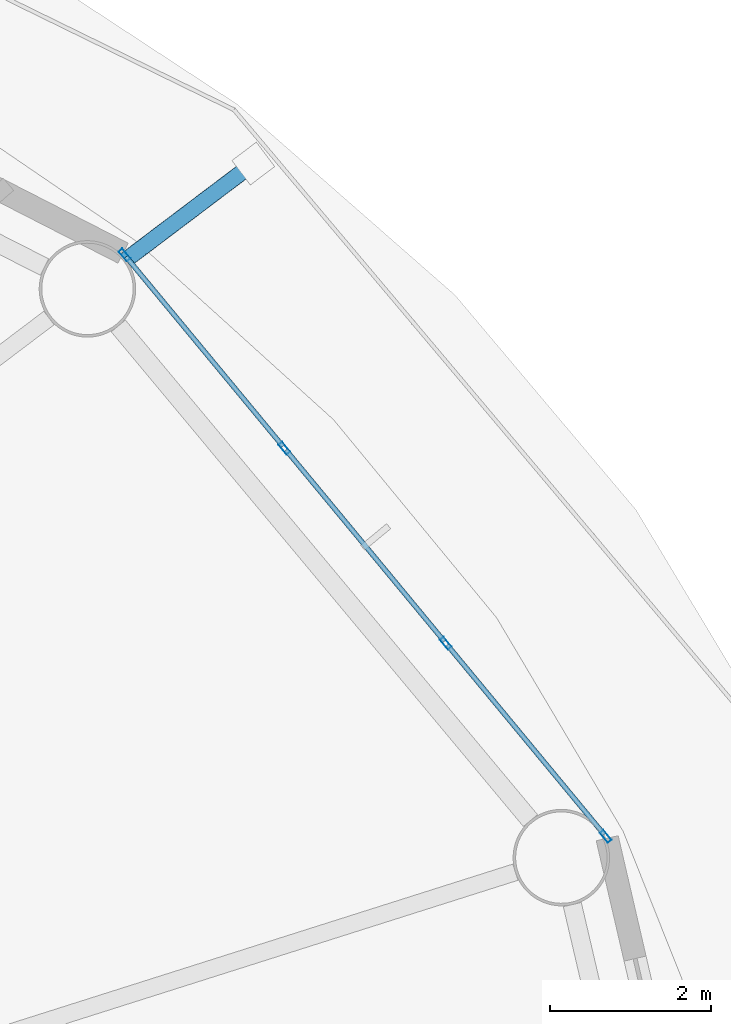
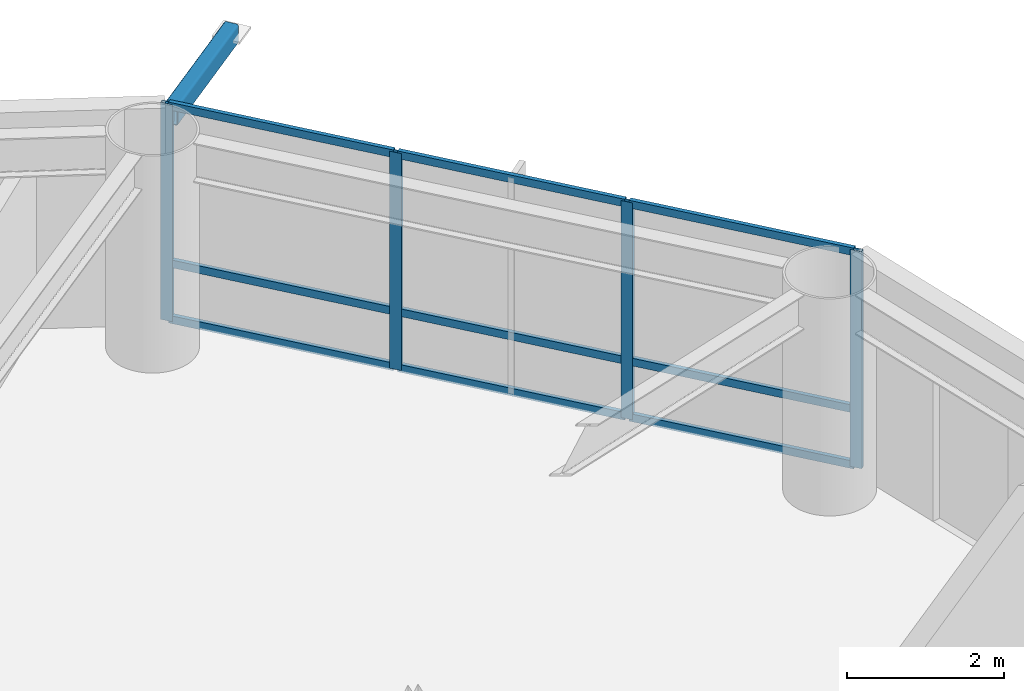
# One storey, part 12 of 24: 14 members, 1 element without a shape of its own.
"""IFC4 building model written with IfcOpenShell, lengths in metres."""

import ifcopenshell
import ifcopenshell.guid

model = None  # the IFC model being written
_history = None  # IfcOwnerHistory: only IFC2X3 demands one
_inside = {}  # id of a spatial element -> (the spatial element, [elements in it])
_under = {}  # id of a project, library or spatial element -> (it, [spatial elements below it])
_declared = {}  # id of a project -> (the project, [libraries it declares])
_typed = {}  # id of a type object -> (the type object, [elements of that type])
_made_of = {}  # id of a material, layer set ... -> (it, [elements and type objects made of it])


def new_model(schema):
    """Start an empty IFC model of exactly this schema.

    Asked for "IFC4X3", IfcOpenShell would pick the latest addendum, in which some entities
    have other attributes; the version numbers below select the first issue.
    IFC2X3 requires an IfcOwnerHistory on every rooted entity: one is made here for all.
    """
    global model, _history
    if schema == "IFC4X3":
        model = ifcopenshell.file(schema_version=(4, 3, 0, 0))
    else:
        model = ifcopenshell.file(schema=schema)
    _inside.clear()
    _under.clear()
    _declared.clear()
    _typed.clear()
    _made_of.clear()
    _history = None
    if model.schema == "IFC2X3":
        org = make("IfcOrganization", Name="unknown")
        user = make(
            "IfcPersonAndOrganization",
            ThePerson=make("IfcPerson", FamilyName="unknown"),
            TheOrganization=org,
        )
        app = make(
            "IfcApplication",
            ApplicationDeveloper=org,
            Version="unknown",
            ApplicationFullName="unknown",
            ApplicationIdentifier="unknown",
        )
        _history = make(
            "IfcOwnerHistory",
            OwningUser=user,
            OwningApplication=app,
            ChangeAction="ADDED",
            CreationDate=0,
        )
    return model


def make(cls, **values):
    """One entity of the class cls with the attributes given. An attribute that is None is left unset."""
    return model.create_entity(
        cls, **{name: value for name, value in values.items() if value is not None}
    )


def rooted(cls, **values):
    """An entity with a GlobalId (a new one), such as an element, a storey or a relation."""
    return make(cls, GlobalId=ifcopenshell.guid.new(), OwnerHistory=_history, **values)


def si_unit(unit_type, name, prefix=None):
    """IfcSIUnit, for example si_unit("LENGTHUNIT", "METRE", prefix="MILLI")."""
    return make("IfcSIUnit", UnitType=unit_type, Prefix=prefix, Name=name)


def assignment(units):
    """IfcUnitAssignment: the units of a project."""
    return None if units is None else make("IfcUnitAssignment", Units=units)


def point(xyz):
    """IfcCartesianPoint."""
    return None if xyz is None else make("IfcCartesianPoint", Coordinates=xyz)


def direction(xyz):
    """IfcDirection."""
    return None if xyz is None else make("IfcDirection", DirectionRatios=xyz)


def frame(location, z_axis=None, x_axis=None):
    """IfcAxis2Placement3D, a coordinate frame: its origin and axes. An axis left out is left unset."""
    return make(
        "IfcAxis2Placement3D",
        Location=point(location),
        Axis=direction(z_axis),
        RefDirection=direction(x_axis),
    )


def frame_2d(location, x_axis=None):
    """IfcAxis2Placement2D, a coordinate frame in the plane: its origin and x axis."""
    return make(
        "IfcAxis2Placement2D", Location=point(location), RefDirection=direction(x_axis)
    )


def origin():
    """The frame at (0, 0, 0) with its axes left unset."""
    return frame((0.0, 0.0, 0.0))


def origin_2d():
    """The frame at (0, 0) in the plane with its x axis left unset."""
    return frame_2d((0.0, 0.0))


def place(relative_to, where):
    """IfcLocalPlacement: puts the frame where relative to a parent placement (None: the world)."""
    return make(
        "IfcLocalPlacement", PlacementRelTo=relative_to, RelativePlacement=where
    )


def context(
    kind, dimensions, precision=None, world=None, true_north=None, identifier=None
):
    """IfcGeometricRepresentationContext, for example the 3D "Model" context."""
    return make(
        "IfcGeometricRepresentationContext",
        ContextIdentifier=identifier,
        ContextType=kind,
        CoordinateSpaceDimension=dimensions,
        Precision=precision,
        WorldCoordinateSystem=world,
        TrueNorth=true_north,
    )


def subcontext(parent, identifier, kind, view, scale=None):
    """IfcGeometricRepresentationSubContext, for example "Body" below "Model"."""
    return make(
        "IfcGeometricRepresentationSubContext",
        ContextIdentifier=identifier,
        ContextType=kind,
        ParentContext=parent,
        TargetScale=scale,
        TargetView=view,
    )


def project(units=None, contexts=None):
    """IfcProject with its units and contexts."""
    return rooted(
        "IfcProject",
        Name="project",
        RepresentationContexts=contexts,
        UnitsInContext=assignment(units),
    )


def spatial(cls, under=None, at=None, **own):
    """A site, building, storey or space (cls), placed at a placement, below another one or the project."""
    s = rooted(cls, ObjectPlacement=at, **own)
    if under is not None:
        _under.setdefault(under.id(), (under, []))[1].append(s)
    return s


def profile(cls, at=None, kind="AREA", **sizes):
    """A parametric profile (cls). Its sizes go by their IFC names, for example OverallWidth=200.0."""
    return make(cls, ProfileType=kind, Position=at, **sizes)


def hollow_rectangle(**sizes):
    """IfcRectangleHollowProfileDef."""
    return profile("IfcRectangleHollowProfileDef", **sizes)


def extrude(swept, where, along, depth):
    """IfcExtrudedAreaSolid: the profile swept, set in the frame where, extruded along a direction by depth."""
    return make(
        "IfcExtrudedAreaSolid",
        SweptArea=swept,
        Position=where,
        ExtrudedDirection=direction(along),
        Depth=depth,
    )


def shape(context_of_items, identifier, shape_type, items):
    """IfcShapeRepresentation: the items that make up one representation, for example the "Body"."""
    return make(
        "IfcShapeRepresentation",
        ContextOfItems=context_of_items,
        RepresentationIdentifier=identifier,
        RepresentationType=shape_type,
        Items=items,
    )


def material(Name=None, Category=None):
    """IfcMaterial."""
    return make("IfcMaterial", Name=Name, Category=Category)


def layer(
    of_material, thickness, ventilated=None, Name=None, Category=None, Priority=None
):
    """IfcMaterialLayer: one layer of a wall or slab, of a material (None: an air gap)."""
    return make(
        "IfcMaterialLayer",
        Material=of_material,
        LayerThickness=thickness,
        IsVentilated=ventilated,
        Name=Name,
        Category=Category,
        Priority=Priority,
    )


def layer_set(layers, Name=None):
    """IfcMaterialLayerSet."""
    return make("IfcMaterialLayerSet", MaterialLayers=layers, LayerSetName=Name)


def material_profile(
    of_material, cross_section, Name=None, Category=None, Priority=None
):
    """IfcMaterialProfile: a cross section and its material."""
    return make(
        "IfcMaterialProfile",
        Name=Name,
        Material=of_material,
        Profile=cross_section,
        Priority=Priority,
        Category=Category,
    )


def profile_set(profiles, Name=None, composite=None):
    """IfcMaterialProfileSet."""
    return make(
        "IfcMaterialProfileSet",
        Name=Name,
        MaterialProfiles=profiles,
        CompositeProfile=composite,
    )


def made_of(thing, what):
    """Note that an element or type object is made of a material, layer set ...; save() writes the relation."""
    if what is not None:
        _made_of.setdefault(what.id(), (what, []))[1].append(thing)
    return thing


def type_object(cls, material=None, **own):
    """A type object (cls), such as IfcWallType, which elements share."""
    return made_of(rooted(cls, **own), material)


def element(
    cls,
    number,
    at=None,
    inside=None,
    cuts=None,
    type_object=None,
    material=None,
    context=None,
    identifier="Body",
    shape_type=None,
    held_by="IfcProductDefinitionShape",
    body=None,
    shapes=None,
    **own,
):
    """One element of the class cls, such as IfcWall. Its Tag is "e" and its number.

    at: its placement. inside: the storey or other place that contains it. cuts: it is an
    opening in that element (IfcRelVoidsElement). A single representation is given by context,
    identifier, shape_type and body (its items); several are given by shapes. held_by: the class
    of the entity that holds the representations. save() writes the other relations.
    """
    e = rooted(cls, Tag="e%d" % number, ObjectPlacement=at, **own)
    if body is not None:
        shapes = [shape(context, identifier, shape_type, body)]
    if shapes is not None:
        e.Representation = make(held_by, Representations=shapes)
    if inside is not None:
        _inside.setdefault(inside.id(), (inside, []))[1].append(e)
    if cuts is not None:
        rooted(
            "IfcRelVoidsElement", RelatingBuildingElement=cuts, RelatedOpeningElement=e
        )
    if type_object is not None:
        _typed.setdefault(type_object.id(), (type_object, []))[1].append(e)
    return made_of(e, material)


def aggregate(whole, parts):
    """IfcRelAggregates: a whole, such as a stair, and the parts it consists of."""
    return rooted("IfcRelAggregates", RelatingObject=whole, RelatedObjects=parts)


def save(model, path):
    """Write the relations noted so far, then the file.

    IfcRelAggregates (storeys below a building ...), IfcRelContainedInSpatialStructure (elements
    in a storey), IfcRelDefinesByType, IfcRelAssociatesMaterial and IfcRelDeclares: one each for
    every whole, place, type object, material and project.
    """
    for whole, parts in _under.values():
        aggregate(whole, parts)
    for where, things in _inside.values():
        rooted(
            "IfcRelContainedInSpatialStructure",
            RelatedElements=things,
            RelatingStructure=where,
        )
    for kind, things in _typed.values():
        rooted("IfcRelDefinesByType", RelatedObjects=things, RelatingType=kind)
    for what, things in _made_of.values():
        rooted("IfcRelAssociatesMaterial", RelatedObjects=things, RelatingMaterial=what)
    for by, libraries in _declared.values():
        rooted("IfcRelDeclares", RelatingContext=by, RelatedDefinitions=libraries)
    model.write(path)


model = new_model("IFC4")

# Units and contexts
model_context = context("Model", 3, precision=1e-05, world=origin(), true_north=direction((0.0, 1.0)))
body_context = subcontext(model_context, "Body", "Model", "MODEL_VIEW")
ifc_project = project(units=[si_unit("LENGTHUNIT", "METRE"), si_unit("AREAUNIT", "SQUARE_METRE"), si_unit("VOLUMEUNIT", "CUBIC_METRE"), si_unit("PLANEANGLEUNIT", "RADIAN"), si_unit("MASSUNIT", "GRAM", prefix="KILO")], contexts=[model_context])

# Site, building, storey
site_placement = place(None, origin())
site = spatial("IfcSite", under=ifc_project, at=site_placement, CompositionType="ELEMENT")
building_placement = place(site_placement, origin())
building = spatial("IfcBuilding", under=site, at=building_placement, Name="Sarneth Arch Tower", CompositionType="ELEMENT")
storey_placement = place(building_placement, frame((0.0, 0.0, 116.39990234375)))
storey = spatial("IfcBuildingStorey", under=building, at=storey_placement, Name="L29", CompositionType="ELEMENT", Elevation=116.39990234375)

# Curtain wall, members
ifc_material_1 = material(Name="Anodised aluminium Type AA25 and solar-control low-e laminated IGU", Category="aluminium")
ifc_layer = layer(ifc_material_1, 0.159912109375)
ifc_layer_set = layer_set([ifc_layer], Name="Anodised aluminium Type AA25 and solar-control low-e laminated IGU")
curtain_wall_type = type_object("IfcCurtainWallType", Name="CW-HOTEL-MID", PredefinedType="NOTDEFINED", material=ifc_layer_set)
curtain_wall_placement = place(storey_placement, origin())
curtain_wall = element("IfcCurtainWall", 1, at=curtain_wall_placement, inside=storey, type_object=curtain_wall_type, Name="L29 Unitised curtain wall facet 02", PredefinedType="NOTDEFINED")
ifc_material_2 = material(Name="Anodised Aluminium 6063-T6", Category="aluminium")
ifc_material_profile_1 = material_profile(ifc_material_2, hollow_rectangle(XDim=0.06005859375, YDim=0.159912109375, WallThickness=0.00390625, at=origin_2d()), Name="AL-MULL-160x60x4")
ifc_profile_set_1 = profile_set([ifc_material_profile_1], Name="Anodised Aluminium 6063-T6")
member_type_1 = type_object("IfcMemberType", Name="CW-MULLION", PredefinedType="MULLION", material=ifc_profile_set_1)
member_1_placement = place(storey_placement, frame((74.84228515625, 50.606689453125, 0.0), z_axis=(0.0, 0.0, 1.0), x_axis=(-0.770437787363, -0.637515188684, 0.0)))
member_1 = element("IfcMember", 2, at=member_1_placement, type_object=member_type_1, Name="CW-SYS-4 mullion 1", PredefinedType="MULLION", context=body_context, shape_type="SweptSolid", body=[
    extrude(hollow_rectangle(XDim=0.06005859375, YDim=0.159912109375, WallThickness=0.00390625, at=origin_2d()), origin(), (0.0, 0.0, 1.0), 3.380126953125),
])
member_2_placement = place(storey_placement, frame((72.854248046875, 53.00927734375, 0.0), z_axis=(0.0, 0.0, 1.0), x_axis=(-0.770437787363, -0.637515188684, 0.0)))
member_2 = element("IfcMember", 3, at=member_2_placement, type_object=member_type_1, Name="CW-SYS-4 mullion 2", PredefinedType="MULLION", context=body_context, shape_type="SweptSolid", body=[
    extrude(hollow_rectangle(XDim=0.06005859375, YDim=0.159912109375, WallThickness=0.00390625, at=origin_2d()), origin(), (0.0, 0.0, 1.0), 3.380126953125),
])
member_3_placement = place(storey_placement, frame((70.84716796875, 55.434814453125, 0.0), z_axis=(0.0, 0.0, 1.0), x_axis=(-0.770437787363, -0.637515188684, 0.0)))
member_3 = element("IfcMember", 4, at=member_3_placement, type_object=member_type_1, Name="CW-SYS-4 mullion 3", PredefinedType="MULLION", context=body_context, shape_type="SweptSolid", body=[
    extrude(hollow_rectangle(XDim=0.06005859375, YDim=0.159912109375, WallThickness=0.00390625, at=origin_2d()), origin(), (0.0, 0.0, 1.0), 3.380126953125),
])
member_4_placement = place(storey_placement, frame((68.859130859375, 57.83740234375, 0.0), z_axis=(0.0, 0.0, 1.0), x_axis=(-0.770437787363, -0.637515188684, 0.0)))
member_4 = element("IfcMember", 5, at=member_4_placement, type_object=member_type_1, Name="CW-SYS-4 mullion 4", PredefinedType="MULLION", context=body_context, shape_type="SweptSolid", body=[
    extrude(hollow_rectangle(XDim=0.06005859375, YDim=0.159912109375, WallThickness=0.00390625, at=origin_2d()), origin(), (0.0, 0.0, 1.0), 3.380126953125),
])
ifc_material_3 = material(Name="Anodised Aluminium 6063-T6", Category="aluminium")
ifc_material_profile_2 = material_profile(ifc_material_3, hollow_rectangle(XDim=0.06005859375, YDim=0.1201171875, WallThickness=0.00390625, at=origin_2d()), Name="AL-TRAN-120x60x4")
ifc_profile_set_2 = profile_set([ifc_material_profile_2], Name="Anodised Aluminium 6063-T6")
member_type_2 = type_object("IfcMemberType", Name="CW-TRANSOM", PredefinedType="USERDEFINED", material=ifc_profile_set_2)
member_5_placement = place(storey_placement, frame((74.8232421875, 50.6298828125, 0.030029296875), z_axis=(-0.637566080343, 0.770395673142, 0.0), x_axis=(-0.770395673142, -0.637566080343, 0.0)))
member_5 = element("IfcMember", 6, at=member_5_placement, type_object=member_type_2, Name="CW-SYS-4 transom 1.1", ObjectType="TRANSOM", PredefinedType="USERDEFINED", context=body_context, shape_type="SweptSolid", body=[
    extrude(hollow_rectangle(XDim=0.06005859375, YDim=0.1201171875, WallThickness=0.00390625, at=origin_2d()), origin(), (0.0, 0.0, 1.0), 3.058349609375),
])
member_6_placement = place(storey_placement, frame((74.8232421875, 50.6298828125, 0.900146484375), z_axis=(-0.637566080343, 0.770395673142, 0.0), x_axis=(-0.770395673142, -0.637566080343, 0.0)))
member_6 = element("IfcMember", 7, at=member_6_placement, type_object=member_type_2, Name="CW-SYS-4 transom 1.2", ObjectType="TRANSOM", PredefinedType="USERDEFINED", context=body_context, shape_type="SweptSolid", body=[
    extrude(hollow_rectangle(XDim=0.06005859375, YDim=0.1201171875, WallThickness=0.00390625, at=origin_2d()), origin(), (0.0, 0.0, 1.0), 3.058349609375),
])
member_7_placement = place(storey_placement, frame((74.8232421875, 50.6298828125, 3.35009765625), z_axis=(-0.637566080343, 0.770395673142, 0.0), x_axis=(-0.770395673142, -0.637566080343, 0.0)))
member_7 = element("IfcMember", 8, at=member_7_placement, type_object=member_type_2, Name="CW-SYS-4 transom 1.3", ObjectType="TRANSOM", PredefinedType="USERDEFINED", context=body_context, shape_type="SweptSolid", body=[
    extrude(hollow_rectangle(XDim=0.06005859375, YDim=0.1201171875, WallThickness=0.00390625, at=origin_2d()), origin(), (0.0, 0.0, 1.0), 3.058349609375),
])
member_8_placement = place(storey_placement, frame((72.835205078125, 53.0322265625, 0.030029296875), z_axis=(-0.637536975021, 0.770419759275, 0.0), x_axis=(-0.770419759275, -0.637536975021, 0.0)))
member_8 = element("IfcMember", 9, at=member_8_placement, type_object=member_type_2, Name="CW-SYS-4 transom 2.1", ObjectType="TRANSOM", PredefinedType="USERDEFINED", context=body_context, shape_type="SweptSolid", body=[
    extrude(hollow_rectangle(XDim=0.06005859375, YDim=0.1201171875, WallThickness=0.00390625, at=origin_2d()), origin(), (0.0, 0.0, 1.0), 3.08837890625),
])
member_9_placement = place(storey_placement, frame((72.835205078125, 53.0322265625, 0.900146484375), z_axis=(-0.637536975021, 0.770419759275, 0.0), x_axis=(-0.770419759275, -0.637536975021, 0.0)))
member_9 = element("IfcMember", 10, at=member_9_placement, type_object=member_type_2, Name="CW-SYS-4 transom 2.2", ObjectType="TRANSOM", PredefinedType="USERDEFINED", context=body_context, shape_type="SweptSolid", body=[
    extrude(hollow_rectangle(XDim=0.06005859375, YDim=0.1201171875, WallThickness=0.00390625, at=origin_2d()), origin(), (0.0, 0.0, 1.0), 3.08837890625),
])
member_10_placement = place(storey_placement, frame((72.835205078125, 53.0322265625, 3.35009765625), z_axis=(-0.637536975021, 0.770419759275, 0.0), x_axis=(-0.770419759275, -0.637536975021, 0.0)))
member_10 = element("IfcMember", 11, at=member_10_placement, type_object=member_type_2, Name="CW-SYS-4 transom 2.3", ObjectType="TRANSOM", PredefinedType="USERDEFINED", context=body_context, shape_type="SweptSolid", body=[
    extrude(hollow_rectangle(XDim=0.06005859375, YDim=0.1201171875, WallThickness=0.00390625, at=origin_2d()), origin(), (0.0, 0.0, 1.0), 3.08837890625),
])
member_11_placement = place(storey_placement, frame((70.828125, 55.4580078125, 0.030029296875), z_axis=(-0.637566080343, 0.770395673142, 0.0), x_axis=(-0.770395673142, -0.637566080343, 0.0)))
member_11 = element("IfcMember", 12, at=member_11_placement, type_object=member_type_2, Name="CW-SYS-4 transom 3.1", ObjectType="TRANSOM", PredefinedType="USERDEFINED", context=body_context, shape_type="SweptSolid", body=[
    extrude(hollow_rectangle(XDim=0.06005859375, YDim=0.1201171875, WallThickness=0.00390625, at=origin_2d()), origin(), (0.0, 0.0, 1.0), 3.058349609375),
])
member_12_placement = place(storey_placement, frame((70.828125, 55.4580078125, 0.900146484375), z_axis=(-0.637566080343, 0.770395673142, 0.0), x_axis=(-0.770395673142, -0.637566080343, 0.0)))
member_12 = element("IfcMember", 13, at=member_12_placement, type_object=member_type_2, Name="CW-SYS-4 transom 3.2", ObjectType="TRANSOM", PredefinedType="USERDEFINED", context=body_context, shape_type="SweptSolid", body=[
    extrude(hollow_rectangle(XDim=0.06005859375, YDim=0.1201171875, WallThickness=0.00390625, at=origin_2d()), origin(), (0.0, 0.0, 1.0), 3.058349609375),
])
member_13_placement = place(storey_placement, frame((70.828125, 55.4580078125, 3.35009765625), z_axis=(-0.637566080343, 0.770395673142, 0.0), x_axis=(-0.770395673142, -0.637566080343, 0.0)))
member_13 = element("IfcMember", 14, at=member_13_placement, type_object=member_type_2, Name="CW-SYS-4 transom 3.3", ObjectType="TRANSOM", PredefinedType="USERDEFINED", context=body_context, shape_type="SweptSolid", body=[
    extrude(hollow_rectangle(XDim=0.06005859375, YDim=0.1201171875, WallThickness=0.00390625, at=origin_2d()), origin(), (0.0, 0.0, 1.0), 3.058349609375),
])
aggregate(curtain_wall, [member_1, member_2, member_3, member_4, member_5, member_6, member_7, member_8, member_9, member_10, member_11, member_12, member_13])

# Member
ifc_material_4 = material(Name="Steel S355", Category="steel")
ifc_material_profile_3 = material_profile(ifc_material_4, hollow_rectangle(XDim=0.199951171875, YDim=0.300048828125, WallThickness=0.012451171875, InnerFilletRadius=0.018798828125, OuterFilletRadius=0.03125, at=origin_2d()), Name="RHS300x200x12.5")
ifc_profile_set_3 = profile_set([ifc_material_profile_3], Name="Steel S355")
member_type_3 = type_object("IfcMemberType", Name="MEM-CANT-STRUT", PredefinedType="STRUT", material=ifc_profile_set_3)
member_14_placement = place(storey_placement, frame((68.876220703125, 57.776611328125, 3.22021484375), z_axis=(0.797796356814, 0.602927004749, 0.0), x_axis=(-0.602927004749, 0.797796356814, 0.0)))
element("IfcMember", 15, at=member_14_placement, inside=storey, type_object=member_type_3, Name="L29 Balcony cantilever bracket 03", PredefinedType="STRUT", context=body_context, shape_type="SweptSolid", body=[
    extrude(hollow_rectangle(XDim=0.199951171875, YDim=0.300048828125, WallThickness=0.012451171875, InnerFilletRadius=0.018798828125, OuterFilletRadius=0.03125, at=origin_2d()), origin(), (0.0, 0.0, 1.0), 1.98583984375),
])

save(model, "model.ifc")
